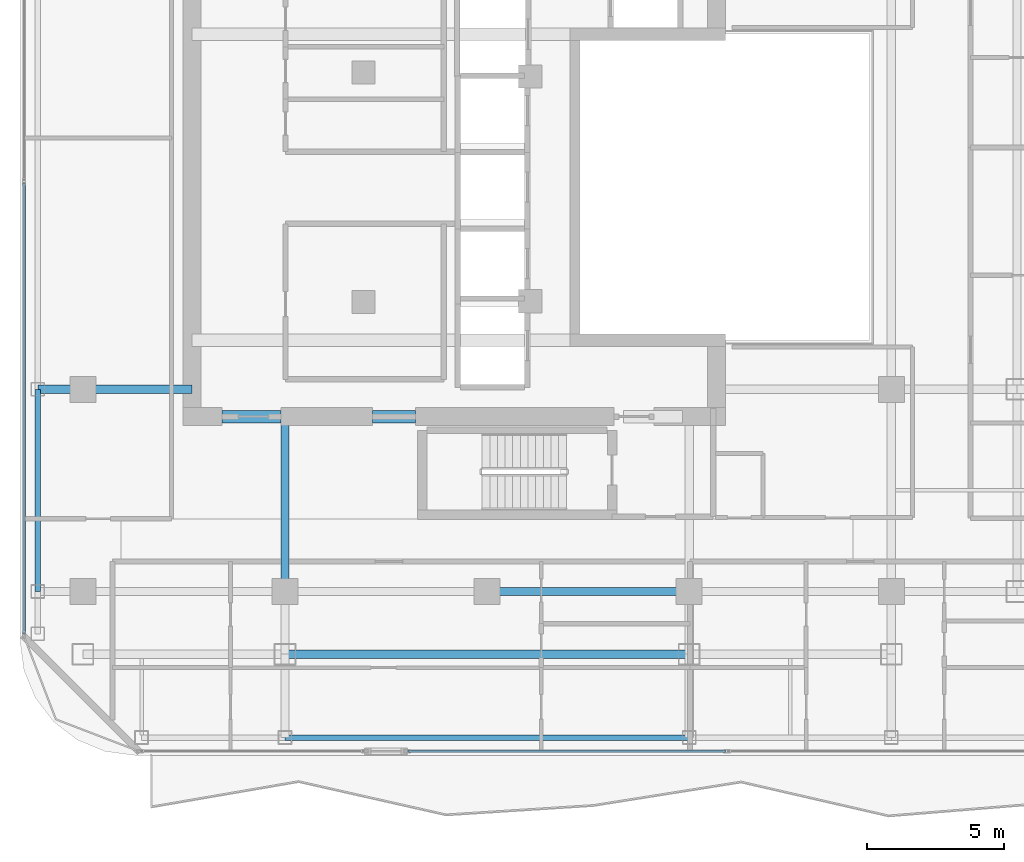
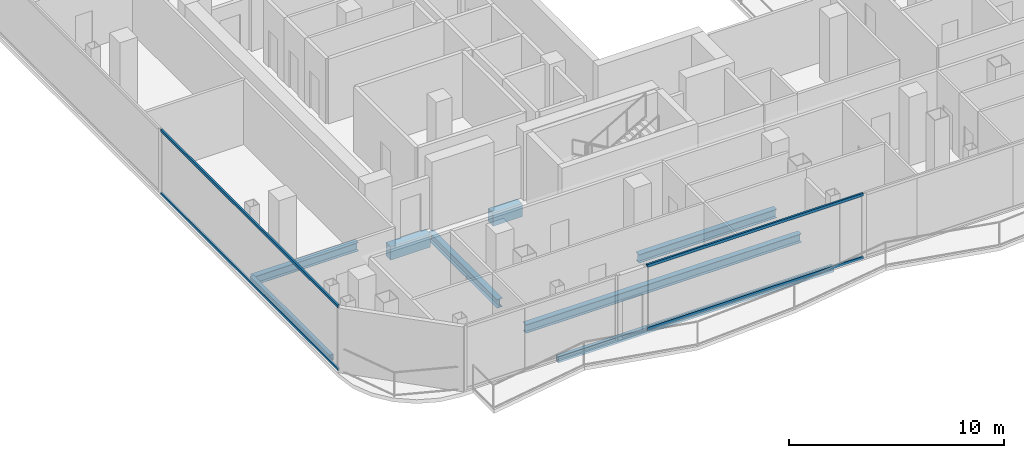
# One storey, part 3 of 23: 8 beams, 4 members, 2 elements without a shape of their own.
"""IFC4 building model written with IfcOpenShell, lengths in metres."""

import ifcopenshell
import ifcopenshell.guid

model = None  # the IFC model being written
_history = None  # IfcOwnerHistory: only IFC2X3 demands one
_inside = {}  # id of a spatial element -> (the spatial element, [elements in it])
_under = {}  # id of a project, library or spatial element -> (it, [spatial elements below it])
_declared = {}  # id of a project -> (the project, [libraries it declares])
_typed = {}  # id of a type object -> (the type object, [elements of that type])
_made_of = {}  # id of a material, layer set ... -> (it, [elements and type objects made of it])


def new_model(schema):
    """Start an empty IFC model of exactly this schema.

    Asked for "IFC4X3", IfcOpenShell would pick the latest addendum, in which some entities
    have other attributes; the version numbers below select the first issue.
    IFC2X3 requires an IfcOwnerHistory on every rooted entity: one is made here for all.
    """
    global model, _history
    if schema == "IFC4X3":
        model = ifcopenshell.file(schema_version=(4, 3, 0, 0))
    else:
        model = ifcopenshell.file(schema=schema)
    _inside.clear()
    _under.clear()
    _declared.clear()
    _typed.clear()
    _made_of.clear()
    _history = None
    if model.schema == "IFC2X3":
        org = make("IfcOrganization", Name="unknown")
        user = make(
            "IfcPersonAndOrganization",
            ThePerson=make("IfcPerson", FamilyName="unknown"),
            TheOrganization=org,
        )
        app = make(
            "IfcApplication",
            ApplicationDeveloper=org,
            Version="unknown",
            ApplicationFullName="unknown",
            ApplicationIdentifier="unknown",
        )
        _history = make(
            "IfcOwnerHistory",
            OwningUser=user,
            OwningApplication=app,
            ChangeAction="ADDED",
            CreationDate=0,
        )
    return model


def make(cls, **values):
    """One entity of the class cls with the attributes given. An attribute that is None is left unset."""
    return model.create_entity(
        cls, **{name: value for name, value in values.items() if value is not None}
    )


def rooted(cls, **values):
    """An entity with a GlobalId (a new one), such as an element, a storey or a relation."""
    return make(cls, GlobalId=ifcopenshell.guid.new(), OwnerHistory=_history, **values)


def si_unit(unit_type, name, prefix=None):
    """IfcSIUnit, for example si_unit("LENGTHUNIT", "METRE", prefix="MILLI")."""
    return make("IfcSIUnit", UnitType=unit_type, Prefix=prefix, Name=name)


def assignment(units):
    """IfcUnitAssignment: the units of a project."""
    return None if units is None else make("IfcUnitAssignment", Units=units)


def point(xyz):
    """IfcCartesianPoint."""
    return None if xyz is None else make("IfcCartesianPoint", Coordinates=xyz)


def direction(xyz):
    """IfcDirection."""
    return None if xyz is None else make("IfcDirection", DirectionRatios=xyz)


def frame(location, z_axis=None, x_axis=None):
    """IfcAxis2Placement3D, a coordinate frame: its origin and axes. An axis left out is left unset."""
    return make(
        "IfcAxis2Placement3D",
        Location=point(location),
        Axis=direction(z_axis),
        RefDirection=direction(x_axis),
    )


def frame_2d(location, x_axis=None):
    """IfcAxis2Placement2D, a coordinate frame in the plane: its origin and x axis."""
    return make(
        "IfcAxis2Placement2D", Location=point(location), RefDirection=direction(x_axis)
    )


def origin():
    """The frame at (0, 0, 0) with its axes left unset."""
    return frame((0.0, 0.0, 0.0))


def origin_2d():
    """The frame at (0, 0) in the plane with its x axis left unset."""
    return frame_2d((0.0, 0.0))


def place(relative_to, where):
    """IfcLocalPlacement: puts the frame where relative to a parent placement (None: the world)."""
    return make(
        "IfcLocalPlacement", PlacementRelTo=relative_to, RelativePlacement=where
    )


def context(
    kind, dimensions, precision=None, world=None, true_north=None, identifier=None
):
    """IfcGeometricRepresentationContext, for example the 3D "Model" context."""
    return make(
        "IfcGeometricRepresentationContext",
        ContextIdentifier=identifier,
        ContextType=kind,
        CoordinateSpaceDimension=dimensions,
        Precision=precision,
        WorldCoordinateSystem=world,
        TrueNorth=true_north,
    )


def subcontext(parent, identifier, kind, view, scale=None):
    """IfcGeometricRepresentationSubContext, for example "Body" below "Model"."""
    return make(
        "IfcGeometricRepresentationSubContext",
        ContextIdentifier=identifier,
        ContextType=kind,
        ParentContext=parent,
        TargetScale=scale,
        TargetView=view,
    )


def project(units=None, contexts=None):
    """IfcProject with its units and contexts."""
    return rooted(
        "IfcProject",
        Name="project",
        RepresentationContexts=contexts,
        UnitsInContext=assignment(units),
    )


def spatial(cls, under=None, at=None, **own):
    """A site, building, storey or space (cls), placed at a placement, below another one or the project."""
    s = rooted(cls, ObjectPlacement=at, **own)
    if under is not None:
        _under.setdefault(under.id(), (under, []))[1].append(s)
    return s


def profile(cls, at=None, kind="AREA", **sizes):
    """A parametric profile (cls). Its sizes go by their IFC names, for example OverallWidth=200.0."""
    return make(cls, ProfileType=kind, Position=at, **sizes)


def rectangle(**sizes):
    """IfcRectangleProfileDef."""
    return profile("IfcRectangleProfileDef", **sizes)


def hollow_rectangle(**sizes):
    """IfcRectangleHollowProfileDef."""
    return profile("IfcRectangleHollowProfileDef", **sizes)


def i_section(**sizes):
    """IfcIShapeProfileDef."""
    return profile("IfcIShapeProfileDef", **sizes)


def extrude(swept, where, along, depth):
    """IfcExtrudedAreaSolid: the profile swept, set in the frame where, extruded along a direction by depth."""
    return make(
        "IfcExtrudedAreaSolid",
        SweptArea=swept,
        Position=where,
        ExtrudedDirection=direction(along),
        Depth=depth,
    )


def shape(context_of_items, identifier, shape_type, items):
    """IfcShapeRepresentation: the items that make up one representation, for example the "Body"."""
    return make(
        "IfcShapeRepresentation",
        ContextOfItems=context_of_items,
        RepresentationIdentifier=identifier,
        RepresentationType=shape_type,
        Items=items,
    )


def material(Name=None, Category=None):
    """IfcMaterial."""
    return make("IfcMaterial", Name=Name, Category=Category)


def layer(
    of_material, thickness, ventilated=None, Name=None, Category=None, Priority=None
):
    """IfcMaterialLayer: one layer of a wall or slab, of a material (None: an air gap)."""
    return make(
        "IfcMaterialLayer",
        Material=of_material,
        LayerThickness=thickness,
        IsVentilated=ventilated,
        Name=Name,
        Category=Category,
        Priority=Priority,
    )


def layer_set(layers, Name=None):
    """IfcMaterialLayerSet."""
    return make("IfcMaterialLayerSet", MaterialLayers=layers, LayerSetName=Name)


def material_profile(
    of_material, cross_section, Name=None, Category=None, Priority=None
):
    """IfcMaterialProfile: a cross section and its material."""
    return make(
        "IfcMaterialProfile",
        Name=Name,
        Material=of_material,
        Profile=cross_section,
        Priority=Priority,
        Category=Category,
    )


def profile_set(profiles, Name=None, composite=None):
    """IfcMaterialProfileSet."""
    return make(
        "IfcMaterialProfileSet",
        Name=Name,
        MaterialProfiles=profiles,
        CompositeProfile=composite,
    )


def made_of(thing, what):
    """Note that an element or type object is made of a material, layer set ...; save() writes the relation."""
    if what is not None:
        _made_of.setdefault(what.id(), (what, []))[1].append(thing)
    return thing


def type_object(cls, material=None, **own):
    """A type object (cls), such as IfcWallType, which elements share."""
    return made_of(rooted(cls, **own), material)


def element(
    cls,
    number,
    at=None,
    inside=None,
    cuts=None,
    type_object=None,
    material=None,
    context=None,
    identifier="Body",
    shape_type=None,
    held_by="IfcProductDefinitionShape",
    body=None,
    shapes=None,
    **own,
):
    """One element of the class cls, such as IfcWall. Its Tag is "e" and its number.

    at: its placement. inside: the storey or other place that contains it. cuts: it is an
    opening in that element (IfcRelVoidsElement). A single representation is given by context,
    identifier, shape_type and body (its items); several are given by shapes. held_by: the class
    of the entity that holds the representations. save() writes the other relations.
    """
    e = rooted(cls, Tag="e%d" % number, ObjectPlacement=at, **own)
    if body is not None:
        shapes = [shape(context, identifier, shape_type, body)]
    if shapes is not None:
        e.Representation = make(held_by, Representations=shapes)
    if inside is not None:
        _inside.setdefault(inside.id(), (inside, []))[1].append(e)
    if cuts is not None:
        rooted(
            "IfcRelVoidsElement", RelatingBuildingElement=cuts, RelatedOpeningElement=e
        )
    if type_object is not None:
        _typed.setdefault(type_object.id(), (type_object, []))[1].append(e)
    return made_of(e, material)


def aggregate(whole, parts):
    """IfcRelAggregates: a whole, such as a stair, and the parts it consists of."""
    return rooted("IfcRelAggregates", RelatingObject=whole, RelatedObjects=parts)


def save(model, path):
    """Write the relations noted so far, then the file.

    IfcRelAggregates (storeys below a building ...), IfcRelContainedInSpatialStructure (elements
    in a storey), IfcRelDefinesByType, IfcRelAssociatesMaterial and IfcRelDeclares: one each for
    every whole, place, type object, material and project.
    """
    for whole, parts in _under.values():
        aggregate(whole, parts)
    for where, things in _inside.values():
        rooted(
            "IfcRelContainedInSpatialStructure",
            RelatedElements=things,
            RelatingStructure=where,
        )
    for kind, things in _typed.values():
        rooted("IfcRelDefinesByType", RelatedObjects=things, RelatingType=kind)
    for what, things in _made_of.values():
        rooted("IfcRelAssociatesMaterial", RelatedObjects=things, RelatingMaterial=what)
    for by, libraries in _declared.values():
        rooted("IfcRelDeclares", RelatingContext=by, RelatedDefinitions=libraries)
    model.write(path)


model = new_model("IFC4")

# Units and contexts
model_context = context("Model", 3, precision=1e-05, world=origin(), true_north=direction((0.0, 1.0)))
body_context = subcontext(model_context, "Body", "Model", "MODEL_VIEW")
ifc_project = project(units=[si_unit("LENGTHUNIT", "METRE"), si_unit("AREAUNIT", "SQUARE_METRE"), si_unit("VOLUMEUNIT", "CUBIC_METRE"), si_unit("PLANEANGLEUNIT", "RADIAN"), si_unit("MASSUNIT", "GRAM", prefix="KILO")], contexts=[model_context])

# Site, building, storey
site_placement = place(None, origin())
site = spatial("IfcSite", under=ifc_project, at=site_placement, CompositionType="ELEMENT")
building_placement = place(site_placement, origin())
building = spatial("IfcBuilding", under=site, at=building_placement, Name="Khorvyn Point Tower", CompositionType="ELEMENT")
storey_placement = place(building_placement, frame((0.0, 0.0, 258.60009765625)))
storey = spatial("IfcBuildingStorey", under=building, at=storey_placement, Name="L63", CompositionType="ELEMENT", Elevation=258.60009765625)

# Curtain wall, members
ifc_material_1 = material(Name="Anodised aluminium 6063-T6 and laminated Low-E glass", Category="aluminium")
ifc_layer = layer(ifc_material_1, 0.18994140625)
ifc_layer_set = layer_set([ifc_layer], Name="Stick-Built High-Wind Curtain Wall CW-SYS-04")
curtain_wall_type = type_object("IfcCurtainWallType", Name="Stick-Built High-Wind Curtain Wall CW-SYS-04", PredefinedType="NOTDEFINED", material=ifc_layer_set)
curtain_wall_1_placement = place(storey_placement, origin())
curtain_wall_1 = element("IfcCurtainWall", 1, at=curtain_wall_1_placement, inside=storey, type_object=curtain_wall_type, Name="Curtain Wall", PredefinedType="NOTDEFINED")
ifc_material_2 = material(Name="Anodised aluminium 6063-T6", Category="aluminium")
ifc_material_profile_1 = material_profile(ifc_material_2, hollow_rectangle(XDim=0.10009765625, YDim=0.159912109375, WallThickness=0.00439453125, at=origin_2d()))
ifc_profile_set_1 = profile_set([ifc_material_profile_1], Name="Anodised aluminium 6063-T6 ALU-TRN-100x160")
member_type = type_object("IfcMemberType", Name="Anodised Aluminium 6063-T6 Transom ALU-TRN-100x160", PredefinedType="USERDEFINED", material=ifc_profile_set_1)
member_1_placement = place(storey_placement, frame((8.73291015625, -20.64990234375, 0.0498046875), z_axis=(-1.0, 0.0, 0.0), x_axis=(0.0, -1.0, 0.0)))
member_1 = element("IfcMember", 2, at=member_1_placement, type_object=member_type, Name="Transom", ObjectType="TRANSOM", PredefinedType="USERDEFINED", context=body_context, shape_type="SweptSolid", body=[
    extrude(hollow_rectangle(XDim=0.10009765625, YDim=0.159912109375, WallThickness=0.00439453125, at=origin_2d()), origin(), (0.0, 0.0, 1.0), 11.616943359375),
])
member_2_placement = place(storey_placement, frame((8.73291015625, -20.64990234375, 3.6298828125), z_axis=(-1.0, 0.0, 0.0), x_axis=(0.0, -1.0, 0.0)))
member_2 = element("IfcMember", 3, at=member_2_placement, type_object=member_type, Name="Transom", ObjectType="TRANSOM", PredefinedType="USERDEFINED", context=body_context, shape_type="SweptSolid", body=[
    extrude(hollow_rectangle(XDim=0.10009765625, YDim=0.159912109375, WallThickness=0.00439453125, at=origin_2d()), origin(), (0.0, 0.0, 1.0), 11.616943359375),
])
aggregate(curtain_wall_1, [member_1, member_2])

curtain_wall_2_placement = place(storey_placement, origin())
curtain_wall_2 = element("IfcCurtainWall", 4, at=curtain_wall_2_placement, inside=storey, type_object=curtain_wall_type, Name="Curtain Wall", PredefinedType="NOTDEFINED")
member_3_placement = place(storey_placement, frame((-16.949951171875, -16.35009765625, 0.0498046875), z_axis=(0.0, 1.0, 0.0), x_axis=(-1.0, 0.0, 0.0)))
member_3 = element("IfcMember", 5, at=member_3_placement, type_object=member_type, Name="Transom", ObjectType="TRANSOM", PredefinedType="USERDEFINED", context=body_context, shape_type="SweptSolid", body=[
    extrude(hollow_rectangle(XDim=0.10009765625, YDim=0.159912109375, WallThickness=0.00439453125, at=origin_2d()), origin(), (0.0, 0.0, 1.0), 16.5),
])
member_4_placement = place(storey_placement, frame((-16.949951171875, -16.35009765625, 3.6298828125), z_axis=(0.0, 1.0, 0.0), x_axis=(-1.0, 0.0, 0.0)))
member_4 = element("IfcMember", 6, at=member_4_placement, type_object=member_type, Name="Transom", ObjectType="TRANSOM", PredefinedType="USERDEFINED", context=body_context, shape_type="SweptSolid", body=[
    extrude(hollow_rectangle(XDim=0.10009765625, YDim=0.159912109375, WallThickness=0.00439453125, at=origin_2d()), origin(), (0.0, 0.0, 1.0), 16.5),
])
aggregate(curtain_wall_2, [member_3, member_4])

# Beams
ifc_material_3 = material(Name="Concrete C40/50", Category="concrete")
ifc_material_profile_2 = material_profile(ifc_material_3, rectangle(XDim=0.449951171875, YDim=0.75, at=origin_2d()))
ifc_profile_set_2 = profile_set([ifc_material_profile_2], Name="Concrete C40/50 RC450x750")
beam_type_1 = type_object("IfcBeamType", Name="Concrete C40/50 Beam RC450x750", PredefinedType="BEAM", material=ifc_profile_set_2)
beam_1_placement = place(storey_placement, frame((-9.699951171875, -8.39990234375, -0.59521484375), z_axis=(1.0, 0.0, 0.0), x_axis=(0.0, 1.0, 0.0)))
element("IfcBeam", 7, at=beam_1_placement, inside=storey, type_object=beam_type_1, Name="L63 Core Southwest Portal Coupling Beam", PredefinedType="BEAM", context=body_context, shape_type="SweptSolid", body=[
    extrude(rectangle(XDim=0.449951171875, YDim=0.75, at=origin_2d()), origin(), (0.0, 0.0, 1.0), 2.14990234375),
])
beam_2_placement = place(storey_placement, frame((-4.199951171875, -8.39990234375, -0.59521484375), z_axis=(1.0, 0.0, 0.0), x_axis=(0.0, 1.0, 0.0)))
element("IfcBeam", 8, at=beam_2_placement, inside=storey, type_object=beam_type_1, Name="L63 Core Shuttle Portal Coupling Beam", PredefinedType="BEAM", context=body_context, shape_type="SweptSolid", body=[
    extrude(rectangle(XDim=0.449951171875, YDim=0.75, at=origin_2d()), origin(), (0.0, 0.0, 1.0), 1.579833984375),
])
ifc_material_4 = material(Name="Steel S355", Category="steel")
ifc_material_profile_3 = material_profile(ifc_material_4, i_section(OverallWidth=0.300048828125, OverallDepth=0.488037109375, WebThickness=0.010986328125, FlangeThickness=0.01806640625, at=origin_2d()))
ifc_profile_set_3 = profile_set([ifc_material_profile_3], Name="Steel S355 H488x300x11x18")
beam_type_2 = type_object("IfcBeamType", Name="Steel S355 Spandrel H488x300x11x18", PredefinedType="SPANDREL", material=ifc_profile_set_3)
beam_3_placement = place(storey_placement, frame((0.0, -14.800048828125, -0.464111328125), z_axis=(1.0, 0.0, 0.0), x_axis=(0.0, 1.0, 0.0)))
element("IfcBeam", 9, at=beam_3_placement, inside=storey, type_object=beam_type_2, Name="Beam", PredefinedType="SPANDREL", context=body_context, shape_type="SweptSolid", body=[
    extrude(i_section(OverallWidth=0.300048828125, OverallDepth=0.488037109375, WebThickness=0.010986328125, FlangeThickness=0.01806640625, at=origin_2d()), origin(), (0.0, 0.0, 1.0), 7.39990234375),
])
beam_4_placement = place(storey_placement, frame((-16.449951171875, -7.39990234375, -0.464111328125), z_axis=(1.0, 0.0, 0.0), x_axis=(0.0, 1.0, 0.0)))
element("IfcBeam", 10, at=beam_4_placement, inside=storey, type_object=beam_type_2, Name="Beam", PredefinedType="SPANDREL", context=body_context, shape_type="SweptSolid", body=[
    extrude(i_section(OverallWidth=0.300048828125, OverallDepth=0.488037109375, WebThickness=0.010986328125, FlangeThickness=0.01806640625, at=origin_2d()), origin(), (0.0, 0.0, 1.0), 5.64990234375),
])
beam_5_placement = place(storey_placement, frame((-7.39990234375, -17.10009765625, -0.464111328125), z_axis=(1.0, 0.0, 0.0), x_axis=(0.0, 1.0, 0.0)))
element("IfcBeam", 11, at=beam_5_placement, inside=storey, type_object=beam_type_2, Name="Beam", PredefinedType="SPANDREL", context=body_context, shape_type="SweptSolid", body=[
    extrude(i_section(OverallWidth=0.300048828125, OverallDepth=0.488037109375, WebThickness=0.010986328125, FlangeThickness=0.01806640625, at=origin_2d()), origin(), (0.0, 0.0, 1.0), 14.7998046875),
])
beam_6_placement = place(storey_placement, frame((-7.39990234375, -14.800048828125, -0.464111328125), z_axis=(0.0, 1.0, 0.0), x_axis=(-1.0, 0.0, 0.0)))
element("IfcBeam", 12, at=beam_6_placement, inside=storey, type_object=beam_type_2, Name="Beam", PredefinedType="SPANDREL", context=body_context, shape_type="SweptSolid", body=[
    extrude(i_section(OverallWidth=0.300048828125, OverallDepth=0.488037109375, WebThickness=0.010986328125, FlangeThickness=0.01806640625, at=origin_2d()), origin(), (0.0, 0.0, 1.0), 6.400146484375),
])
ifc_material_profile_4 = material_profile(ifc_material_4, hollow_rectangle(XDim=0.199951171875, YDim=0.35009765625, WallThickness=0.013916015625, at=origin_2d()))
ifc_profile_set_4 = profile_set([ifc_material_profile_4], Name="Steel S355 RHS350x200x14")
beam_type_3 = type_object("IfcBeamType", Name="Steel S355 Spandrel RHS350x200x14", PredefinedType="SPANDREL", material=ifc_profile_set_4)
beam_7_placement = place(storey_placement, frame((-7.39990234375, -20.14990234375, -0.39501953125), z_axis=(1.0, 0.0, 0.0), x_axis=(0.0, 1.0, 0.0)))
element("IfcBeam", 13, at=beam_7_placement, inside=storey, type_object=beam_type_3, Name="Beam", PredefinedType="SPANDREL", context=body_context, shape_type="SweptSolid", body=[
    extrude(hollow_rectangle(XDim=0.199951171875, YDim=0.35009765625, WallThickness=0.013916015625, at=origin_2d()), origin(), (0.0, 0.0, 1.0), 14.7998046875),
])
beam_8_placement = place(storey_placement, frame((-16.449951171875, -14.800048828125, -0.39501953125), z_axis=(0.0, 1.0, 0.0), x_axis=(-1.0, 0.0, 0.0)))
element("IfcBeam", 14, at=beam_8_placement, inside=storey, type_object=beam_type_3, Name="Beam", PredefinedType="SPANDREL", context=body_context, shape_type="SweptSolid", body=[
    extrude(hollow_rectangle(XDim=0.199951171875, YDim=0.35009765625, WallThickness=0.013916015625, at=origin_2d()), origin(), (0.0, 0.0, 1.0), 7.400146484375),
])

save(model, "model.ifc")
